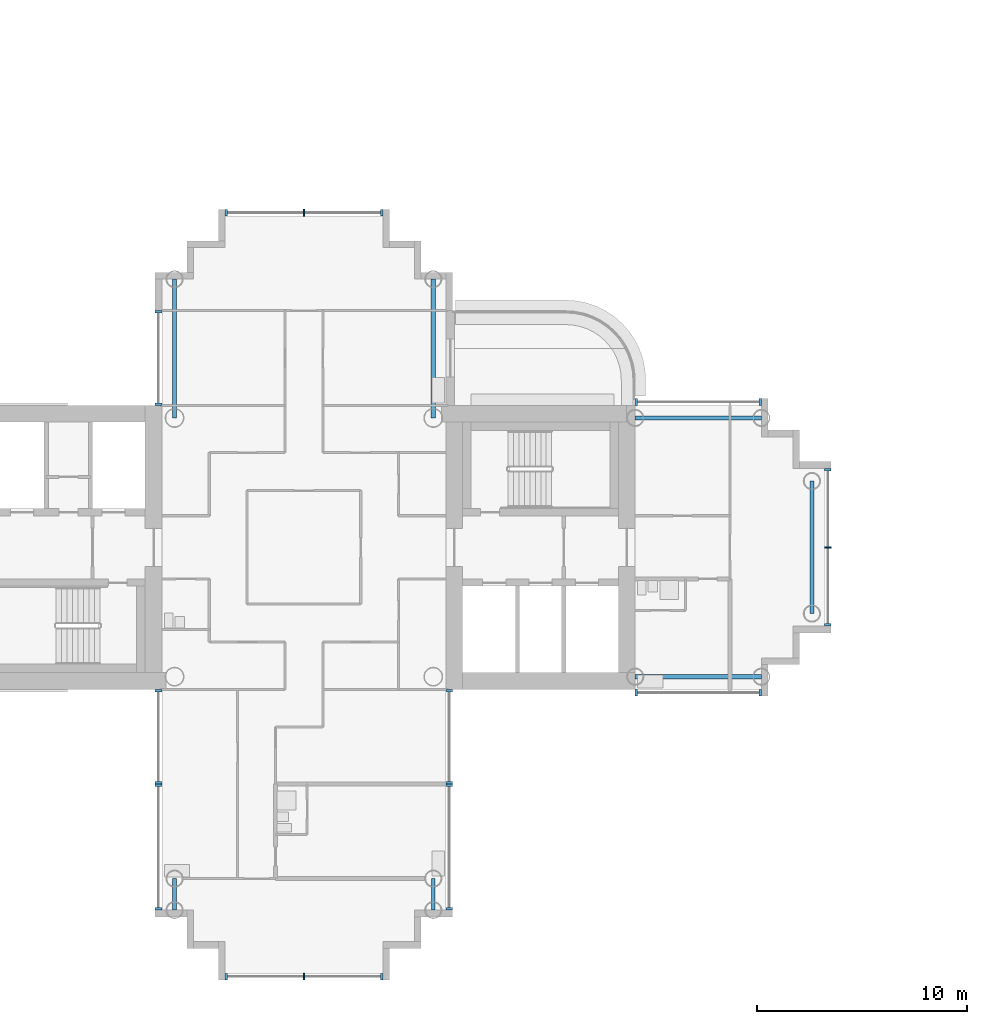
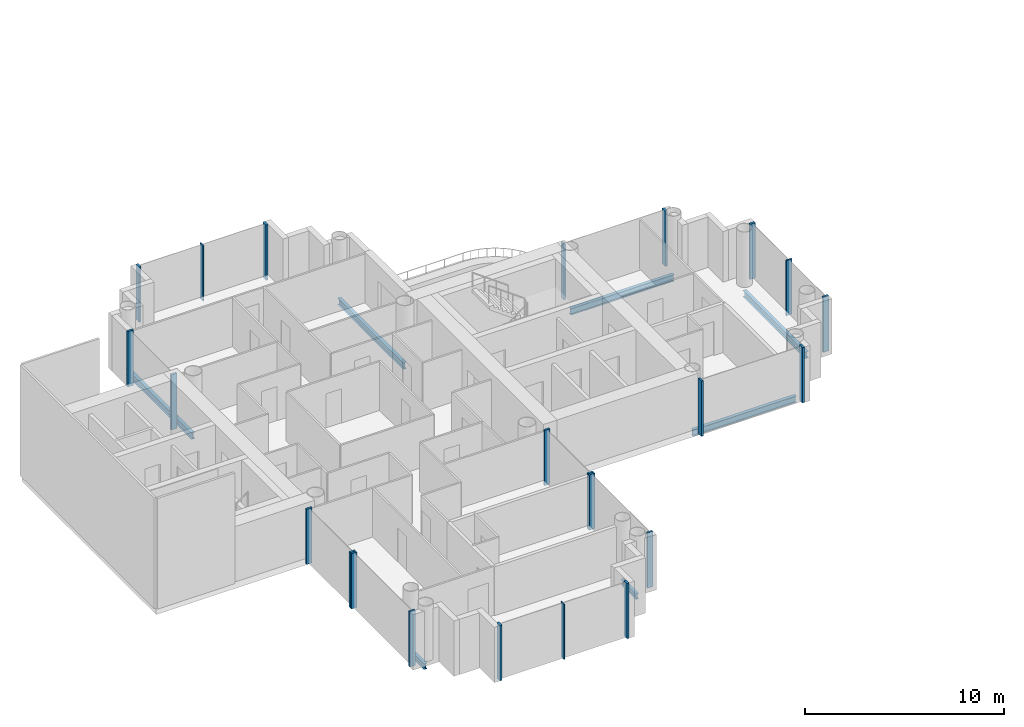
# One storey, part 3 of 19: 23 members, 7 beams, 10 elements without a shape of their own.
"""IFC4 building model written with IfcOpenShell, lengths in metres."""

import ifcopenshell
import ifcopenshell.guid

model = None  # the IFC model being written
_history = None  # IfcOwnerHistory: only IFC2X3 demands one
_inside = {}  # id of a spatial element -> (the spatial element, [elements in it])
_under = {}  # id of a project, library or spatial element -> (it, [spatial elements below it])
_declared = {}  # id of a project -> (the project, [libraries it declares])
_typed = {}  # id of a type object -> (the type object, [elements of that type])
_made_of = {}  # id of a material, layer set ... -> (it, [elements and type objects made of it])


def new_model(schema):
    """Start an empty IFC model of exactly this schema.

    Asked for "IFC4X3", IfcOpenShell would pick the latest addendum, in which some entities
    have other attributes; the version numbers below select the first issue.
    IFC2X3 requires an IfcOwnerHistory on every rooted entity: one is made here for all.
    """
    global model, _history
    if schema == "IFC4X3":
        model = ifcopenshell.file(schema_version=(4, 3, 0, 0))
    else:
        model = ifcopenshell.file(schema=schema)
    _inside.clear()
    _under.clear()
    _declared.clear()
    _typed.clear()
    _made_of.clear()
    _history = None
    if model.schema == "IFC2X3":
        org = make("IfcOrganization", Name="unknown")
        user = make(
            "IfcPersonAndOrganization",
            ThePerson=make("IfcPerson", FamilyName="unknown"),
            TheOrganization=org,
        )
        app = make(
            "IfcApplication",
            ApplicationDeveloper=org,
            Version="unknown",
            ApplicationFullName="unknown",
            ApplicationIdentifier="unknown",
        )
        _history = make(
            "IfcOwnerHistory",
            OwningUser=user,
            OwningApplication=app,
            ChangeAction="ADDED",
            CreationDate=0,
        )
    return model


def make(cls, **values):
    """One entity of the class cls with the attributes given. An attribute that is None is left unset."""
    return model.create_entity(
        cls, **{name: value for name, value in values.items() if value is not None}
    )


def rooted(cls, **values):
    """An entity with a GlobalId (a new one), such as an element, a storey or a relation."""
    return make(cls, GlobalId=ifcopenshell.guid.new(), OwnerHistory=_history, **values)


def si_unit(unit_type, name, prefix=None):
    """IfcSIUnit, for example si_unit("LENGTHUNIT", "METRE", prefix="MILLI")."""
    return make("IfcSIUnit", UnitType=unit_type, Prefix=prefix, Name=name)


def assignment(units):
    """IfcUnitAssignment: the units of a project."""
    return None if units is None else make("IfcUnitAssignment", Units=units)


def point(xyz):
    """IfcCartesianPoint."""
    return None if xyz is None else make("IfcCartesianPoint", Coordinates=xyz)


def direction(xyz):
    """IfcDirection."""
    return None if xyz is None else make("IfcDirection", DirectionRatios=xyz)


def frame(location, z_axis=None, x_axis=None):
    """IfcAxis2Placement3D, a coordinate frame: its origin and axes. An axis left out is left unset."""
    return make(
        "IfcAxis2Placement3D",
        Location=point(location),
        Axis=direction(z_axis),
        RefDirection=direction(x_axis),
    )


def frame_2d(location, x_axis=None):
    """IfcAxis2Placement2D, a coordinate frame in the plane: its origin and x axis."""
    return make(
        "IfcAxis2Placement2D", Location=point(location), RefDirection=direction(x_axis)
    )


def origin():
    """The frame at (0, 0, 0) with its axes left unset."""
    return frame((0.0, 0.0, 0.0))


def origin_2d():
    """The frame at (0, 0) in the plane with its x axis left unset."""
    return frame_2d((0.0, 0.0))


def place(relative_to, where):
    """IfcLocalPlacement: puts the frame where relative to a parent placement (None: the world)."""
    return make(
        "IfcLocalPlacement", PlacementRelTo=relative_to, RelativePlacement=where
    )


def context(
    kind, dimensions, precision=None, world=None, true_north=None, identifier=None
):
    """IfcGeometricRepresentationContext, for example the 3D "Model" context."""
    return make(
        "IfcGeometricRepresentationContext",
        ContextIdentifier=identifier,
        ContextType=kind,
        CoordinateSpaceDimension=dimensions,
        Precision=precision,
        WorldCoordinateSystem=world,
        TrueNorth=true_north,
    )


def subcontext(parent, identifier, kind, view, scale=None):
    """IfcGeometricRepresentationSubContext, for example "Body" below "Model"."""
    return make(
        "IfcGeometricRepresentationSubContext",
        ContextIdentifier=identifier,
        ContextType=kind,
        ParentContext=parent,
        TargetScale=scale,
        TargetView=view,
    )


def project(units=None, contexts=None):
    """IfcProject with its units and contexts."""
    return rooted(
        "IfcProject",
        Name="project",
        RepresentationContexts=contexts,
        UnitsInContext=assignment(units),
    )


def spatial(cls, under=None, at=None, **own):
    """A site, building, storey or space (cls), placed at a placement, below another one or the project."""
    s = rooted(cls, ObjectPlacement=at, **own)
    if under is not None:
        _under.setdefault(under.id(), (under, []))[1].append(s)
    return s


def profile(cls, at=None, kind="AREA", **sizes):
    """A parametric profile (cls). Its sizes go by their IFC names, for example OverallWidth=200.0."""
    return make(cls, ProfileType=kind, Position=at, **sizes)


def rectangle(**sizes):
    """IfcRectangleProfileDef."""
    return profile("IfcRectangleProfileDef", **sizes)


def i_section(**sizes):
    """IfcIShapeProfileDef."""
    return profile("IfcIShapeProfileDef", **sizes)


def extrude(swept, where, along, depth):
    """IfcExtrudedAreaSolid: the profile swept, set in the frame where, extruded along a direction by depth."""
    return make(
        "IfcExtrudedAreaSolid",
        SweptArea=swept,
        Position=where,
        ExtrudedDirection=direction(along),
        Depth=depth,
    )


def shape(context_of_items, identifier, shape_type, items):
    """IfcShapeRepresentation: the items that make up one representation, for example the "Body"."""
    return make(
        "IfcShapeRepresentation",
        ContextOfItems=context_of_items,
        RepresentationIdentifier=identifier,
        RepresentationType=shape_type,
        Items=items,
    )


def material(Name=None, Category=None):
    """IfcMaterial."""
    return make("IfcMaterial", Name=Name, Category=Category)


def layer(
    of_material, thickness, ventilated=None, Name=None, Category=None, Priority=None
):
    """IfcMaterialLayer: one layer of a wall or slab, of a material (None: an air gap)."""
    return make(
        "IfcMaterialLayer",
        Material=of_material,
        LayerThickness=thickness,
        IsVentilated=ventilated,
        Name=Name,
        Category=Category,
        Priority=Priority,
    )


def layer_set(layers, Name=None):
    """IfcMaterialLayerSet."""
    return make("IfcMaterialLayerSet", MaterialLayers=layers, LayerSetName=Name)


def material_profile(
    of_material, cross_section, Name=None, Category=None, Priority=None
):
    """IfcMaterialProfile: a cross section and its material."""
    return make(
        "IfcMaterialProfile",
        Name=Name,
        Material=of_material,
        Profile=cross_section,
        Priority=Priority,
        Category=Category,
    )


def profile_set(profiles, Name=None, composite=None):
    """IfcMaterialProfileSet."""
    return make(
        "IfcMaterialProfileSet",
        Name=Name,
        MaterialProfiles=profiles,
        CompositeProfile=composite,
    )


def made_of(thing, what):
    """Note that an element or type object is made of a material, layer set ...; save() writes the relation."""
    if what is not None:
        _made_of.setdefault(what.id(), (what, []))[1].append(thing)
    return thing


def type_object(cls, material=None, **own):
    """A type object (cls), such as IfcWallType, which elements share."""
    return made_of(rooted(cls, **own), material)


def element(
    cls,
    number,
    at=None,
    inside=None,
    cuts=None,
    type_object=None,
    material=None,
    context=None,
    identifier="Body",
    shape_type=None,
    held_by="IfcProductDefinitionShape",
    body=None,
    shapes=None,
    **own,
):
    """One element of the class cls, such as IfcWall. Its Tag is "e" and its number.

    at: its placement. inside: the storey or other place that contains it. cuts: it is an
    opening in that element (IfcRelVoidsElement). A single representation is given by context,
    identifier, shape_type and body (its items); several are given by shapes. held_by: the class
    of the entity that holds the representations. save() writes the other relations.
    """
    e = rooted(cls, Tag="e%d" % number, ObjectPlacement=at, **own)
    if body is not None:
        shapes = [shape(context, identifier, shape_type, body)]
    if shapes is not None:
        e.Representation = make(held_by, Representations=shapes)
    if inside is not None:
        _inside.setdefault(inside.id(), (inside, []))[1].append(e)
    if cuts is not None:
        rooted(
            "IfcRelVoidsElement", RelatingBuildingElement=cuts, RelatedOpeningElement=e
        )
    if type_object is not None:
        _typed.setdefault(type_object.id(), (type_object, []))[1].append(e)
    return made_of(e, material)


def aggregate(whole, parts):
    """IfcRelAggregates: a whole, such as a stair, and the parts it consists of."""
    return rooted("IfcRelAggregates", RelatingObject=whole, RelatedObjects=parts)


def save(model, path):
    """Write the relations noted so far, then the file.

    IfcRelAggregates (storeys below a building ...), IfcRelContainedInSpatialStructure (elements
    in a storey), IfcRelDefinesByType, IfcRelAssociatesMaterial and IfcRelDeclares: one each for
    every whole, place, type object, material and project.
    """
    for whole, parts in _under.values():
        aggregate(whole, parts)
    for where, things in _inside.values():
        rooted(
            "IfcRelContainedInSpatialStructure",
            RelatedElements=things,
            RelatingStructure=where,
        )
    for kind, things in _typed.values():
        rooted("IfcRelDefinesByType", RelatedObjects=things, RelatingType=kind)
    for what, things in _made_of.values():
        rooted("IfcRelAssociatesMaterial", RelatedObjects=things, RelatingMaterial=what)
    for by, libraries in _declared.values():
        rooted("IfcRelDeclares", RelatingContext=by, RelatedDefinitions=libraries)
    model.write(path)


model = new_model("IFC4")

# Units and contexts
model_context = context("Model", 3, precision=1e-05, world=origin(), true_north=direction((0.0, 1.0)))
body_context = subcontext(model_context, "Body", "Model", "MODEL_VIEW")
ifc_project = project(units=[si_unit("LENGTHUNIT", "METRE"), si_unit("AREAUNIT", "SQUARE_METRE"), si_unit("VOLUMEUNIT", "CUBIC_METRE"), si_unit("PLANEANGLEUNIT", "RADIAN"), si_unit("MASSUNIT", "GRAM", prefix="KILO")], contexts=[model_context])

# Site, building, storey
site_placement = place(None, origin())
site = spatial("IfcSite", under=ifc_project, at=site_placement, CompositionType="ELEMENT")
building_placement = place(site_placement, origin())
building = spatial("IfcBuilding", under=site, at=building_placement, Name="Ipe Terrace Towers", CompositionType="ELEMENT")
storey_placement = place(building_placement, frame((0.0, 0.0, 147.300048828125)))
storey = spatial("IfcBuildingStorey", under=building, at=storey_placement, Name="L40", CompositionType="ELEMENT", Elevation=147.300048828125)

# Beams
ifc_material_1 = material(Name="Steel S355", Category="steel")
ifc_material_profile_1 = material_profile(ifc_material_1, i_section(OverallWidth=0.175048828125, OverallDepth=0.35009765625, WebThickness=0.007080078125, FlangeThickness=0.010986328125, at=origin_2d()), Name="H-350x175x7x11")
ifc_profile_set_1 = profile_set([ifc_material_profile_1], Name="Steel S355")
beam_type_1 = type_object("IfcBeamType", Name="H04 EDGE BEAM H-350x175x7x11", PredefinedType="BEAM", material=ifc_profile_set_1)
for number, where, z_axis, x_axis, name in (
    (1, (-42.14990234375, -15.75, -0.574951171875), (0.0, -1.0, 0.0), (1.0, 0.0, 0.0), "Edge beam T1-EB-D03-D05"),
    (2, (-29.85009765625, -15.75, -0.574951171875), (0.0, -1.0, 0.0), (1.0, 0.0, 0.0), "Edge beam T1-EB-D04-D06"),
):
    element("IfcBeam", number, at=place(storey_placement, frame(where, z_axis=z_axis, x_axis=x_axis)), inside=storey, type_object=beam_type_1, Name=name, PredefinedType="BEAM", context=body_context, shape_type="SweptSolid", body=[
        extrude(i_section(OverallWidth=0.175048828125, OverallDepth=0.35009765625, WebThickness=0.007080078125, FlangeThickness=0.010986328125, at=origin_2d()), origin(), (0.0, 0.0, 1.0), 1.5),
    ])
ifc_material_2 = material(Name="Steel S355", Category="steel")
ifc_material_profile_2 = material_profile(ifc_material_2, i_section(OverallWidth=0.199951171875, OverallDepth=0.39990234375, WebThickness=0.008056640625, FlangeThickness=0.012939453125, at=origin_2d()), Name="H-400x200x8x13")
ifc_profile_set_2 = profile_set([ifc_material_profile_2], Name="Steel S355")
beam_type_2 = type_object("IfcBeamType", Name="H06 EDGE BEAM H-400x200x8x13", PredefinedType="BEAM", material=ifc_profile_set_2)
for number, where, z_axis, x_axis, name in (
    (3, (-20.25, -6.14990234375, -0.60009765625), (1.0, 0.0, 0.0), (0.0, 1.0, 0.0), "Edge beam T1-EB-A01-A03"),
    (4, (-20.25, 6.14990234375, -0.60009765625), (1.0, 0.0, 0.0), (0.0, 1.0, 0.0), "Edge beam T1-EB-A02-A04"),
):
    element("IfcBeam", number, at=place(storey_placement, frame(where, z_axis=z_axis, x_axis=x_axis)), inside=storey, type_object=beam_type_2, Name=name, PredefinedType="BEAM", context=body_context, shape_type="SweptSolid", body=[
        extrude(i_section(OverallWidth=0.199951171875, OverallDepth=0.39990234375, WebThickness=0.008056640625, FlangeThickness=0.012939453125, at=origin_2d()), origin(), (0.0, 0.0, 1.0), 6.0),
    ])
beam_placement = place(storey_placement, frame((-11.85009765625, -3.14990234375, -0.60009765625), z_axis=(0.0, 1.0, 0.0), x_axis=(-1.0, 0.0, 0.0)))
element("IfcBeam", 5, at=beam_placement, inside=storey, type_object=beam_type_2, Name="Edge beam T1-EB-A05-A06", PredefinedType="BEAM", context=body_context, shape_type="SweptSolid", body=[
    extrude(i_section(OverallWidth=0.199951171875, OverallDepth=0.39990234375, WebThickness=0.008056640625, FlangeThickness=0.012939453125, at=origin_2d()), origin(), (0.0, 0.0, 1.0), 6.2998046875),
])
for number, where, z_axis, x_axis, name in (
    (6, (-29.85009765625, 12.75, -0.60009765625), (0.0, -1.0, 0.0), (1.0, 0.0, 0.0), "Edge beam T1-EB-B01-E03"),
    (7, (-42.14990234375, 12.75, -0.60009765625), (0.0, -1.0, 0.0), (1.0, 0.0, 0.0), "Edge beam T1-EB-B02-E04"),
):
    element("IfcBeam", number, at=place(storey_placement, frame(where, z_axis=z_axis, x_axis=x_axis)), inside=storey, type_object=beam_type_2, Name=name, PredefinedType="BEAM", context=body_context, shape_type="SweptSolid", body=[
        extrude(i_section(OverallWidth=0.199951171875, OverallDepth=0.39990234375, WebThickness=0.008056640625, FlangeThickness=0.012939453125, at=origin_2d()), origin(), (0.0, 0.0, 1.0), 6.60009765625),
    ])

# Curtain wall, members
ifc_material_3 = material(Name="Aluminium alloy 6063-T6", Category="aluminium")
ifc_layer = layer(ifc_material_3, 0.320068359375)
ifc_layer_set = layer_set([ifc_layer], Name="TOWER UNITISED CURTAIN WALL")
curtain_wall_type = type_object("IfcCurtainWallType", Name="TOWER UNITISED CURTAIN WALL", PredefinedType="NOTDEFINED", material=ifc_layer_set)
curtain_wall_1_placement = place(storey_placement, origin())
curtain_wall_1 = element("IfcCurtainWall", 8, at=curtain_wall_1_placement, inside=storey, type_object=curtain_wall_type, Name="T1-CW-L40-02a curtain wall", PredefinedType="NOTDEFINED")
ifc_material_4 = material(Name="Aluminium alloy 6063-T6", Category="aluminium")
ifc_material_profile_3 = material_profile(ifc_material_4, rectangle(XDim=0.320068359375, YDim=0.1201171875, at=origin_2d()), Name="TOWER UNITISED CORNER MULLION 320 x 120")
ifc_profile_set_3 = profile_set([ifc_material_profile_3], Name="Aluminium alloy 6063-T6")
member_type_1 = type_object("IfcMemberType", Name="TOWER UNITISED CORNER MULLION 320 x 120", PredefinedType="MULLION", material=ifc_profile_set_3)
member_1_placement = place(storey_placement, frame((-42.909912109375, -6.81005859375, -0.300048828125), z_axis=(0.0, 0.0, 1.0), x_axis=(-1.0, 0.0, 0.0)))
member_1 = element("IfcMember", 9, at=member_1_placement, type_object=member_type_1, Name="T1-CW-L40-02a mullion 1", PredefinedType="MULLION", context=body_context, shape_type="SweptSolid", body=[
    extrude(rectangle(XDim=0.320068359375, YDim=0.1201171875, at=origin_2d()), origin(), (0.0, 0.0, 1.0), 3.39990234375),
])
member_2_placement = place(storey_placement, frame((-42.909912109375, -11.18994140625, -0.300048828125), z_axis=(0.0, 0.0, 1.0), x_axis=(-1.0, 0.0, 0.0)))
member_2 = element("IfcMember", 10, at=member_2_placement, type_object=member_type_1, Name="T1-CW-L40-02a mullion 2", PredefinedType="MULLION", context=body_context, shape_type="SweptSolid", body=[
    extrude(rectangle(XDim=0.320068359375, YDim=0.1201171875, at=origin_2d()), origin(), (0.0, 0.0, 1.0), 3.39990234375),
])
aggregate(curtain_wall_1, [member_1, member_2])

curtain_wall_2_placement = place(storey_placement, origin())
curtain_wall_2 = element("IfcCurtainWall", 11, at=curtain_wall_2_placement, inside=storey, type_object=curtain_wall_type, Name="T1-CW-L40-03a curtain wall", PredefinedType="NOTDEFINED")
member_3_placement = place(storey_placement, frame((-42.909912109375, -11.31005859375, -0.300048828125), z_axis=(0.0, 0.0, 1.0), x_axis=(-1.0, 0.0, 0.0)))
member_3 = element("IfcMember", 12, at=member_3_placement, type_object=member_type_1, Name="T1-CW-L40-03a mullion 1", PredefinedType="MULLION", context=body_context, shape_type="SweptSolid", body=[
    extrude(rectangle(XDim=0.320068359375, YDim=0.1201171875, at=origin_2d()), origin(), (0.0, 0.0, 1.0), 3.39990234375),
])
member_4_placement = place(storey_placement, frame((-42.909912109375, -17.18994140625, -0.300048828125), z_axis=(0.0, 0.0, 1.0), x_axis=(-1.0, 0.0, 0.0)))
member_4 = element("IfcMember", 13, at=member_4_placement, type_object=member_type_1, Name="T1-CW-L40-03a mullion 2", PredefinedType="MULLION", context=body_context, shape_type="SweptSolid", body=[
    extrude(rectangle(XDim=0.320068359375, YDim=0.1201171875, at=origin_2d()), origin(), (0.0, 0.0, 1.0), 3.39990234375),
])
aggregate(curtain_wall_2, [member_3, member_4])

curtain_wall_3_placement = place(storey_placement, origin())
curtain_wall_3 = element("IfcCurtainWall", 14, at=curtain_wall_3_placement, inside=storey, type_object=curtain_wall_type, Name="T1-CW-L40-08a curtain wall", PredefinedType="NOTDEFINED")
member_5_placement = place(storey_placement, frame((-39.68994140625, -20.409912109375, -0.300048828125), z_axis=(0.0, 0.0, 1.0), x_axis=(0.0, -1.0, 0.0)))
member_5 = element("IfcMember", 15, at=member_5_placement, type_object=member_type_1, Name="T1-CW-L40-08a mullion 1", PredefinedType="MULLION", context=body_context, shape_type="SweptSolid", body=[
    extrude(rectangle(XDim=0.320068359375, YDim=0.1201171875, at=origin_2d()), origin(), (0.0, 0.0, 1.0), 3.39990234375),
])
member_6_placement = place(storey_placement, frame((-32.31005859375, -20.409912109375, -0.300048828125), z_axis=(0.0, 0.0, 1.0), x_axis=(0.0, -1.0, 0.0)))
member_6 = element("IfcMember", 16, at=member_6_placement, type_object=member_type_1, Name="T1-CW-L40-08a mullion 3", PredefinedType="MULLION", context=body_context, shape_type="SweptSolid", body=[
    extrude(rectangle(XDim=0.320068359375, YDim=0.1201171875, at=origin_2d()), origin(), (0.0, 0.0, 1.0), 3.39990234375),
])

curtain_wall_4_placement = place(storey_placement, origin())
curtain_wall_4 = element("IfcCurtainWall", 17, at=curtain_wall_4_placement, inside=storey, type_object=curtain_wall_type, Name="T1-CW-L40-13a curtain wall", PredefinedType="NOTDEFINED")
member_7_placement = place(storey_placement, frame((-29.090087890625, -17.18994140625, -0.300048828125), z_axis=(0.0, 0.0, 1.0), x_axis=(1.0, 0.0, 0.0)))
member_7 = element("IfcMember", 18, at=member_7_placement, type_object=member_type_1, Name="T1-CW-L40-13a mullion 1", PredefinedType="MULLION", context=body_context, shape_type="SweptSolid", body=[
    extrude(rectangle(XDim=0.320068359375, YDim=0.1201171875, at=origin_2d()), origin(), (0.0, 0.0, 1.0), 3.39990234375),
])
member_8_placement = place(storey_placement, frame((-29.090087890625, -11.31005859375, -0.300048828125), z_axis=(0.0, 0.0, 1.0), x_axis=(1.0, 0.0, 0.0)))
member_8 = element("IfcMember", 19, at=member_8_placement, type_object=member_type_1, Name="T1-CW-L40-13a mullion 2", PredefinedType="MULLION", context=body_context, shape_type="SweptSolid", body=[
    extrude(rectangle(XDim=0.320068359375, YDim=0.1201171875, at=origin_2d()), origin(), (0.0, 0.0, 1.0), 3.39990234375),
])
aggregate(curtain_wall_4, [member_7, member_8])

curtain_wall_5_placement = place(storey_placement, origin())
curtain_wall_5 = element("IfcCurtainWall", 20, at=curtain_wall_5_placement, inside=storey, type_object=curtain_wall_type, Name="T1-CW-L40-14a curtain wall", PredefinedType="NOTDEFINED")
member_9_placement = place(storey_placement, frame((-29.090087890625, -11.18994140625, -0.300048828125), z_axis=(0.0, 0.0, 1.0), x_axis=(1.0, 0.0, 0.0)))
member_9 = element("IfcMember", 21, at=member_9_placement, type_object=member_type_1, Name="T1-CW-L40-14a mullion 1", PredefinedType="MULLION", context=body_context, shape_type="SweptSolid", body=[
    extrude(rectangle(XDim=0.320068359375, YDim=0.1201171875, at=origin_2d()), origin(), (0.0, 0.0, 1.0), 3.39990234375),
])
member_10_placement = place(storey_placement, frame((-29.090087890625, -6.81005859375, -0.300048828125), z_axis=(0.0, 0.0, 1.0), x_axis=(1.0, 0.0, 0.0)))
member_10 = element("IfcMember", 22, at=member_10_placement, type_object=member_type_1, Name="T1-CW-L40-14a mullion 2", PredefinedType="MULLION", context=body_context, shape_type="SweptSolid", body=[
    extrude(rectangle(XDim=0.320068359375, YDim=0.1201171875, at=origin_2d()), origin(), (0.0, 0.0, 1.0), 3.39990234375),
])
aggregate(curtain_wall_5, [member_9, member_10])

curtain_wall_6_placement = place(storey_placement, origin())
curtain_wall_6 = element("IfcCurtainWall", 23, at=curtain_wall_6_placement, inside=storey, type_object=curtain_wall_type, Name="T1-CW-L40-16b curtain wall", PredefinedType="NOTDEFINED")
member_11_placement = place(storey_placement, frame((-20.18896484375, -6.909912109375, -0.300048828125), z_axis=(0.0, 0.0, 1.0), x_axis=(0.0, -1.0, 0.0)))
member_11 = element("IfcMember", 24, at=member_11_placement, type_object=member_type_1, Name="T1-CW-L40-16b mullion 1", PredefinedType="MULLION", context=body_context, shape_type="SweptSolid", body=[
    extrude(rectangle(XDim=0.320068359375, YDim=0.1201171875, at=origin_2d()), origin(), (0.0, 0.0, 1.0), 3.39990234375),
])
member_12_placement = place(storey_placement, frame((-14.31005859375, -6.909912109375, -0.300048828125), z_axis=(0.0, 0.0, 1.0), x_axis=(0.0, -1.0, 0.0)))
member_12 = element("IfcMember", 25, at=member_12_placement, type_object=member_type_1, Name="T1-CW-L40-16b mullion 2", PredefinedType="MULLION", context=body_context, shape_type="SweptSolid", body=[
    extrude(rectangle(XDim=0.320068359375, YDim=0.1201171875, at=origin_2d()), origin(), (0.0, 0.0, 1.0), 3.39990234375),
])
aggregate(curtain_wall_6, [member_11, member_12])

curtain_wall_7_placement = place(storey_placement, origin())
curtain_wall_7 = element("IfcCurtainWall", 26, at=curtain_wall_7_placement, inside=storey, type_object=curtain_wall_type, Name="T1-CW-L40-21a curtain wall", PredefinedType="NOTDEFINED")
member_13_placement = place(storey_placement, frame((-11.090087890625, -3.68994140625, -0.300048828125), z_axis=(0.0, 0.0, 1.0), x_axis=(1.0, 0.0, 0.0)))
member_13 = element("IfcMember", 27, at=member_13_placement, type_object=member_type_1, Name="T1-CW-L40-21a mullion 1", PredefinedType="MULLION", context=body_context, shape_type="SweptSolid", body=[
    extrude(rectangle(XDim=0.320068359375, YDim=0.1201171875, at=origin_2d()), origin(), (0.0, 0.0, 1.0), 3.39990234375),
])
member_14_placement = place(storey_placement, frame((-11.090087890625, 3.68994140625, -0.300048828125), z_axis=(0.0, 0.0, 1.0), x_axis=(1.0, 0.0, 0.0)))
member_14 = element("IfcMember", 28, at=member_14_placement, type_object=member_type_1, Name="T1-CW-L40-21a mullion 3", PredefinedType="MULLION", context=body_context, shape_type="SweptSolid", body=[
    extrude(rectangle(XDim=0.320068359375, YDim=0.1201171875, at=origin_2d()), origin(), (0.0, 0.0, 1.0), 3.39990234375),
])

curtain_wall_8_placement = place(storey_placement, origin())
curtain_wall_8 = element("IfcCurtainWall", 29, at=curtain_wall_8_placement, inside=storey, type_object=curtain_wall_type, Name="T1-CW-L40-26a curtain wall", PredefinedType="NOTDEFINED")
member_15_placement = place(storey_placement, frame((-14.31005859375, 6.909912109375, -0.300048828125), z_axis=(0.0, 0.0, 1.0), x_axis=(0.0, 1.0, 0.0)))
member_15 = element("IfcMember", 30, at=member_15_placement, type_object=member_type_1, Name="T1-CW-L40-26a mullion 1", PredefinedType="MULLION", context=body_context, shape_type="SweptSolid", body=[
    extrude(rectangle(XDim=0.320068359375, YDim=0.1201171875, at=origin_2d()), origin(), (0.0, 0.0, 1.0), 3.39990234375),
])
member_16_placement = place(storey_placement, frame((-20.18896484375, 6.909912109375, -0.300048828125), z_axis=(0.0, 0.0, 1.0), x_axis=(0.0, 1.0, 0.0)))
member_16 = element("IfcMember", 31, at=member_16_placement, type_object=member_type_1, Name="T1-CW-L40-26a mullion 2", PredefinedType="MULLION", context=body_context, shape_type="SweptSolid", body=[
    extrude(rectangle(XDim=0.320068359375, YDim=0.1201171875, at=origin_2d()), origin(), (0.0, 0.0, 1.0), 3.39990234375),
])
aggregate(curtain_wall_8, [member_15, member_16])

curtain_wall_9_placement = place(storey_placement, origin())
curtain_wall_9 = element("IfcCurtainWall", 32, at=curtain_wall_9_placement, inside=storey, type_object=curtain_wall_type, Name="T1-CW-L40-34a curtain wall", PredefinedType="NOTDEFINED")
member_17_placement = place(storey_placement, frame((-32.31005859375, 15.909912109375, -0.300048828125), z_axis=(0.0, 0.0, 1.0), x_axis=(0.0, 1.0, 0.0)))
member_17 = element("IfcMember", 33, at=member_17_placement, type_object=member_type_1, Name="T1-CW-L40-34a mullion 1", PredefinedType="MULLION", context=body_context, shape_type="SweptSolid", body=[
    extrude(rectangle(XDim=0.320068359375, YDim=0.1201171875, at=origin_2d()), origin(), (0.0, 0.0, 1.0), 3.39990234375),
])
member_18_placement = place(storey_placement, frame((-39.68994140625, 15.909912109375, -0.300048828125), z_axis=(0.0, 0.0, 1.0), x_axis=(0.0, 1.0, 0.0)))
member_18 = element("IfcMember", 34, at=member_18_placement, type_object=member_type_1, Name="T1-CW-L40-34a mullion 3", PredefinedType="MULLION", context=body_context, shape_type="SweptSolid", body=[
    extrude(rectangle(XDim=0.320068359375, YDim=0.1201171875, at=origin_2d()), origin(), (0.0, 0.0, 1.0), 3.39990234375),
])

curtain_wall_10_placement = place(storey_placement, origin())
curtain_wall_10 = element("IfcCurtainWall", 35, at=curtain_wall_10_placement, inside=storey, type_object=curtain_wall_type, Name="T1-CW-L40-40a curtain wall", PredefinedType="NOTDEFINED")
member_19_placement = place(storey_placement, frame((-42.909912109375, 11.18994140625, -0.300048828125), z_axis=(0.0, 0.0, 1.0), x_axis=(-1.0, 0.0, 0.0)))
member_19 = element("IfcMember", 36, at=member_19_placement, type_object=member_type_1, Name="T1-CW-L40-40a mullion 1", PredefinedType="MULLION", context=body_context, shape_type="SweptSolid", body=[
    extrude(rectangle(XDim=0.320068359375, YDim=0.1201171875, at=origin_2d()), origin(), (0.0, 0.0, 1.0), 3.39990234375),
])
member_20_placement = place(storey_placement, frame((-42.909912109375, 6.81005859375, -0.300048828125), z_axis=(0.0, 0.0, 1.0), x_axis=(-1.0, 0.0, 0.0)))
member_20 = element("IfcMember", 37, at=member_20_placement, type_object=member_type_1, Name="T1-CW-L40-40a mullion 2", PredefinedType="MULLION", context=body_context, shape_type="SweptSolid", body=[
    extrude(rectangle(XDim=0.320068359375, YDim=0.1201171875, at=origin_2d()), origin(), (0.0, 0.0, 1.0), 3.39990234375),
])
aggregate(curtain_wall_10, [member_19, member_20])

# Member
ifc_material_5 = material(Name="Aluminium alloy 6063-T6", Category="aluminium")
ifc_material_profile_4 = material_profile(ifc_material_5, rectangle(XDim=0.320068359375, YDim=0.06494140625, at=origin_2d()), Name="TOWER UNITISED MULLION 320 x 65")
ifc_profile_set_4 = profile_set([ifc_material_profile_4], Name="Aluminium alloy 6063-T6")
member_type_2 = type_object("IfcMemberType", Name="TOWER UNITISED MULLION 320 x 65", PredefinedType="MULLION", material=ifc_profile_set_4)
member_21_placement = place(storey_placement, frame((-36.0, -20.409912109375, -0.300048828125), z_axis=(0.0, 0.0, 1.0), x_axis=(0.0, -1.0, 0.0)))
member_21 = element("IfcMember", 38, at=member_21_placement, type_object=member_type_2, Name="T1-CW-L40-08a mullion 2", PredefinedType="MULLION", context=body_context, shape_type="SweptSolid", body=[
    extrude(rectangle(XDim=0.320068359375, YDim=0.06494140625, at=origin_2d()), origin(), (0.0, 0.0, 1.0), 3.39990234375),
])

aggregate(curtain_wall_3, [member_5, member_21, member_6])

member_22_placement = place(storey_placement, frame((-11.090087890625, 0.0, -0.300048828125), z_axis=(0.0, 0.0, 1.0), x_axis=(1.0, 0.0, 0.0)))
member_22 = element("IfcMember", 39, at=member_22_placement, type_object=member_type_2, Name="T1-CW-L40-21a mullion 2", PredefinedType="MULLION", context=body_context, shape_type="SweptSolid", body=[
    extrude(rectangle(XDim=0.320068359375, YDim=0.06494140625, at=origin_2d()), origin(), (0.0, 0.0, 1.0), 3.39990234375),
])

aggregate(curtain_wall_7, [member_13, member_22, member_14])

member_23_placement = place(storey_placement, frame((-36.0, 15.909912109375, -0.300048828125), z_axis=(0.0, 0.0, 1.0), x_axis=(0.0, 1.0, 0.0)))
member_23 = element("IfcMember", 40, at=member_23_placement, type_object=member_type_2, Name="T1-CW-L40-34a mullion 2", PredefinedType="MULLION", context=body_context, shape_type="SweptSolid", body=[
    extrude(rectangle(XDim=0.320068359375, YDim=0.06494140625, at=origin_2d()), origin(), (0.0, 0.0, 1.0), 3.39990234375),
])

aggregate(curtain_wall_9, [member_17, member_23, member_18])

save(model, "model.ifc")
